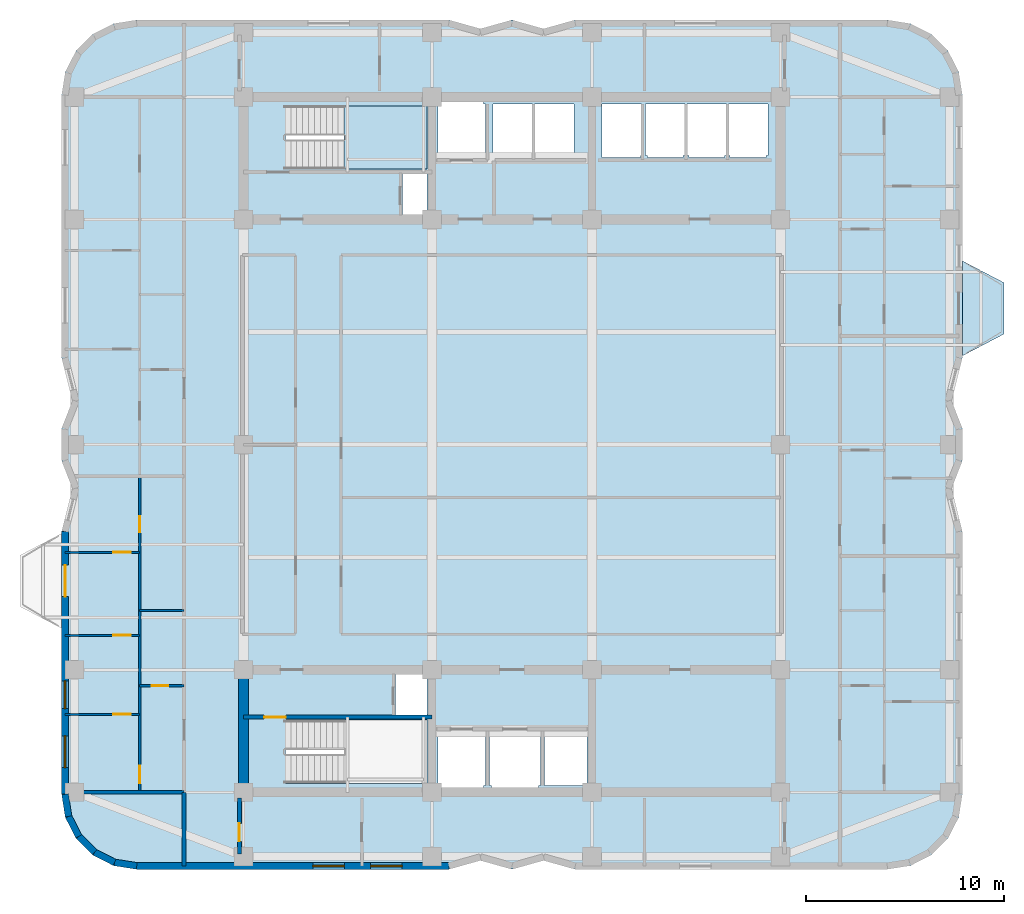
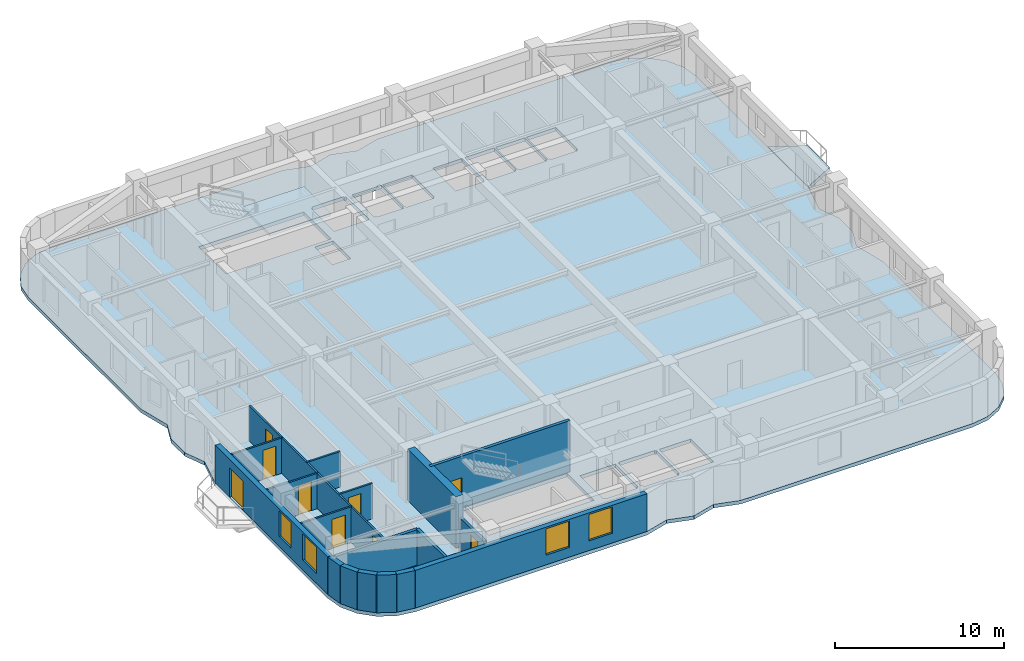
# One storey, part 2 of 8: 18 walls, 9 doors, 4 windows, 3 slabs, 13 openings, 1 element without a shape of its own.
"""IFC4 building model written with IfcOpenShell, lengths in metres."""

from ifc_helpers import new_model, si_unit, direction, frame, frame_2d, origin, place, context, subcontext, project, spatial, polyline, rectangle, outline, extrude, material, layer, layer_set, type_object, element, fill, aggregate, save


model = new_model("IFC4")

# Units and contexts
model_context = context("Model", 3, precision=1e-05, world=origin(), true_north=direction((0.0, 1.0)))
body_context = subcontext(model_context, "Body", "Model", "MODEL_VIEW")
ifc_project = project(units=[si_unit("LENGTHUNIT", "METRE"), si_unit("AREAUNIT", "SQUARE_METRE"), si_unit("VOLUMEUNIT", "CUBIC_METRE"), si_unit("PLANEANGLEUNIT", "RADIAN"), si_unit("MASSUNIT", "GRAM", prefix="KILO")], contexts=[model_context])

# Site, building, storey
site_placement = place(None, origin())
site = spatial("IfcSite", under=ifc_project, at=site_placement, CompositionType="ELEMENT")
building_placement = place(site_placement, origin())
building = spatial("IfcBuilding", under=site, at=building_placement, Name="Svetorya Sky Lyceum", CompositionType="ELEMENT")
storey_placement = place(building_placement, frame((0.0, 0.0, 147.800048828125)))
storey = spatial("IfcBuildingStorey", under=building, at=storey_placement, Name="L36", CompositionType="ELEMENT", Elevation=147.800048828125)

# Slab
ifc_material_1 = material(Name="Concrete C40/50", Category="concrete")
ifc_layer_1 = layer(ifc_material_1, 0.260009765625)
ifc_layer_set_1 = layer_set([ifc_layer_1], Name="Concrete C40/50")
slab_type_1 = type_object("IfcSlabType", Name="SL-BAL-260", PredefinedType="FLOOR", material=ifc_layer_set_1)
slab_1_placement = place(storey_placement, frame((0.0, 0.0, -0.260009765625)))
element("IfcSlab", 1, at=slab_1_placement, inside=storey, type_object=slab_type_1, Name="L36 Chamfered Loggia Balcony BAL-E1", PredefinedType="FLOOR", context=body_context, shape_type="SweptSolid", body=[
    extrude(outline(polyline([(62.010009765625, 32.699951171875), (64.110107421875, 33.800048828125), (64.110107421875, 36.39990234375), (62.010009765625, 37.5), (62.010009765625, 32.699951171875)])), origin(), (0.0, 0.0, 1.0), 0.260009765625),
])

# Stair, slab
stair_type = type_object("IfcStairType", Name="STR-ST-N", PredefinedType="HALF_TURN_STAIR", material=ifc_material_1)
stair_placement = place(storey_placement, origin())
stair = element("IfcStair", 2, at=stair_placement, inside=storey, type_object=stair_type, Name="L36 North Core Smoke-Free Exit Stair N3", PredefinedType="HALF_TURN_STAIR")
ifc_layer_2 = layer(ifc_material_1, 0.199951171875)
ifc_layer_set_2 = layer_set([ifc_layer_2], Name="Concrete C40/50")
slab_type_2 = type_object("IfcSlabType", Name="SL-STR-LAND-200", PredefinedType="LANDING", material=ifc_layer_set_2)
slab_2_placement = place(storey_placement, frame((0.0, 0.0, 1.64990234375)))
slab_2 = element("IfcSlab", 3, at=slab_2_placement, type_object=slab_type_2, Name="ST-N landing 1", PredefinedType="LANDING", context=body_context, shape_type="SweptSolid", body=[
    extrude(outline(polyline([(30.699951171875, 42.14990234375), (34.89990234375, 42.14990234375), (34.89990234375, 45.35009765625), (30.699951171875, 45.35009765625), (30.699951171875, 42.14990234375)])), origin(), (0.0, 0.0, 1.0), 0.199951171875),
])
aggregate(stair, [slab_2])

# Slab
ifc_material_2 = material(Name="Concrete C50/60", Category="concrete")
ifc_layer_3 = layer(ifc_material_2, 0.260009765625)
ifc_layer_set_3 = layer_set([ifc_layer_3], Name="Concrete C50/60")
slab_type_3 = type_object("IfcSlabType", Name="SL-TWR-260", PredefinedType="FLOOR", material=ifc_layer_set_3)
slab_3_placement = place(storey_placement, frame((0.0, 0.0, -0.260009765625)))
element("IfcSlab", 4, at=slab_3_placement, inside=storey, type_object=slab_type_3, Name="L36 Structural Floor Slab", PredefinedType="FLOOR", context=body_context, shape_type="SweptSolid", body=[
    extrude(outline(polyline([(16.39990234375, 10.5), (16.5859375, 9.32568359375), (17.125732421875, 8.266357421875), (17.96630859375, 7.42578125), (19.025634765625, 6.885986328125), (20.199951171875, 6.699951171875), (36.0, 6.699951171875), (37.60009765625, 7.14990234375), (39.199951171875, 6.699951171875), (40.800048828125, 7.14990234375), (42.39990234375, 6.699951171875), (58.199951171875, 6.699951171875), (59.374267578125, 6.885986328125), (60.43359375, 7.42578125), (61.2744140625, 8.266357421875), (61.81396484375, 9.32568359375), (62.0, 10.5), (62.0, 23.800048828125), (61.449951171875, 26.0), (62.0, 27.39990234375), (62.0, 29.0), (61.449951171875, 30.39990234375), (62.0, 32.60009765625), (62.0, 45.89990234375), (61.81396484375, 47.07421875), (61.2744140625, 48.133544921875), (60.43359375, 48.974365234375), (59.374267578125, 49.513916015625), (58.199951171875, 49.699951171875), (42.39990234375, 49.699951171875), (40.800048828125, 49.25), (39.199951171875, 49.699951171875), (37.60009765625, 49.25), (36.0, 49.699951171875), (20.199951171875, 49.699951171875), (19.025634765625, 49.513916015625), (17.96630859375, 48.974365234375), (17.125732421875, 48.133544921875), (16.5859375, 47.07421875), (16.39990234375, 45.89990234375), (16.39990234375, 32.60009765625), (16.949951171875, 30.39990234375), (16.39990234375, 29.0), (16.39990234375, 27.39990234375), (16.949951171875, 26.0), (16.39990234375, 23.800048828125), (16.39990234375, 10.5)]), holes=[polyline([(37.85009765625, 10.949951171875), (37.75, 10.949951171875), (37.75, 10.85009765625), (35.550048828125, 10.85009765625), (35.550048828125, 10.949951171875), (35.449951171875, 10.949951171875), (35.449951171875, 13.64990234375), (35.550048828125, 13.64990234375), (37.75, 13.64990234375), (37.85009765625, 13.64990234375), (37.85009765625, 10.949951171875)]), polyline([(40.64990234375, 13.64990234375), (40.64990234375, 10.949951171875), (40.550048828125, 10.949951171875), (40.550048828125, 10.800048828125), (38.14990234375, 10.800048828125), (38.14990234375, 10.949951171875), (38.050048828125, 10.949951171875), (38.050048828125, 13.64990234375), (38.14990234375, 13.64990234375), (38.14990234375, 13.699951171875), (40.550048828125, 13.699951171875), (40.550048828125, 13.64990234375), (40.64990234375, 13.64990234375)]), polyline([(27.719970703125, 14.25), (34.89990234375, 14.25), (34.89990234375, 11.050048828125), (27.719970703125, 11.050048828125), (27.719970703125, 14.25)]), polyline([(33.300048828125, 14.52001953125), (33.300048828125, 16.580078125), (34.89990234375, 16.580078125), (34.89990234375, 14.52001953125), (33.300048828125, 14.52001953125)]), polyline([(33.64990234375, 41.89990234375), (34.89990234375, 41.89990234375), (34.89990234375, 39.820068359375), (33.64990234375, 39.820068359375), (33.64990234375, 41.89990234375)]), polyline([(27.719970703125, 45.35009765625), (34.89990234375, 45.35009765625), (34.89990234375, 42.14990234375), (27.719970703125, 42.14990234375), (27.719970703125, 45.35009765625)]), polyline([(37.75, 45.550048828125), (37.75, 45.449951171875), (37.85009765625, 45.449951171875), (37.85009765625, 42.75), (37.75, 42.75), (35.550048828125, 42.75), (35.449951171875, 42.75), (35.449951171875, 45.449951171875), (35.550048828125, 45.449951171875), (35.550048828125, 45.550048828125), (37.75, 45.550048828125)]), polyline([(38.39990234375, 42.85009765625), (38.25, 42.85009765625), (38.25, 45.449951171875), (38.39990234375, 45.449951171875), (40.199951171875, 45.449951171875), (40.25, 45.449951171875), (40.25, 42.85009765625), (40.199951171875, 42.85009765625), (40.199951171875, 42.75), (38.39990234375, 42.75), (38.39990234375, 42.85009765625)]), polyline([(40.85009765625, 13.64990234375), (43.0, 13.64990234375), (43.0, 10.949951171875), (40.85009765625, 10.949951171875), (40.85009765625, 13.64990234375)]), polyline([(40.39990234375, 42.85009765625), (40.35009765625, 42.85009765625), (40.35009765625, 45.449951171875), (40.39990234375, 45.449951171875), (42.300048828125, 45.449951171875), (42.35009765625, 45.449951171875), (42.35009765625, 42.85009765625), (42.300048828125, 42.85009765625), (42.300048828125, 42.75), (40.39990234375, 42.75), (40.39990234375, 42.85009765625)]), polyline([(43.75, 42.75), (43.75, 42.85009765625), (43.75, 45.449951171875), (45.699951171875, 45.449951171875), (45.75, 45.449951171875), (45.75, 42.85009765625), (45.699951171875, 42.85009765625), (45.699951171875, 42.75), (43.75, 42.75)]), polyline([(46.050048828125, 42.85009765625), (45.949951171875, 42.85009765625), (45.949951171875, 45.449951171875), (46.050048828125, 45.449951171875), (47.85009765625, 45.449951171875), (47.949951171875, 45.449951171875), (47.949951171875, 42.85009765625), (47.85009765625, 42.85009765625), (47.85009765625, 42.75), (46.050048828125, 42.75), (46.050048828125, 42.85009765625)]), polyline([(48.14990234375, 42.85009765625), (48.050048828125, 42.85009765625), (48.050048828125, 45.449951171875), (48.14990234375, 45.449951171875), (49.949951171875, 45.449951171875), (50.050048828125, 45.449951171875), (50.050048828125, 42.85009765625), (49.949951171875, 42.85009765625), (49.949951171875, 42.75), (48.14990234375, 42.75), (48.14990234375, 42.85009765625)]), polyline([(52.14990234375, 42.85009765625), (52.050048828125, 42.85009765625), (52.050048828125, 42.75), (50.25, 42.75), (50.25, 42.85009765625), (50.14990234375, 42.85009765625), (50.14990234375, 45.449951171875), (50.25, 45.449951171875), (52.050048828125, 45.449951171875), (52.14990234375, 45.449951171875), (52.14990234375, 42.85009765625)])]), origin(), (0.0, 0.0, 1.0), 0.260009765625),
])

# Walls
ifc_layer_4 = layer(ifc_material_2, 0.5)
ifc_layer_set_4 = layer_set([ifc_layer_4], Name="Concrete C50/60")
wall_type_1 = type_object("IfcWallType", Name="WL-CORE-500", PredefinedType="SHEAR", material=ifc_layer_set_4)
wall_1_placement = place(storey_placement, frame((25.60009765625, 10.85009765625, 0.0), z_axis=(0.0, 0.0, 1.0), x_axis=(0.0, 1.0, 0.0)))
element("IfcWall", 5, at=wall_1_placement, inside=storey, type_object=wall_type_1, Name="L36 SC West Core Shear Wall", PredefinedType="SHEAR", context=body_context, shape_type="SweptSolid", body=[
    extrude(rectangle(XDim=5.699951171875, YDim=0.5, at=frame_2d((2.85009765625, 0.0))), origin(), (0.0, 0.0, 1.0), 3.699951171875),
])
ifc_material_3 = material(Name="Putilovo limestone rainscreen on autoclaved cellular masonry", Category="masonry")
ifc_layer_5 = layer(ifc_material_3, 0.340087890625)
ifc_layer_set_5 = layer_set([ifc_layer_5], Name="Putilovo limestone rainscreen on autoclaved cellular masonry")
wall_type_2 = type_object("IfcWallType", Name="WL-EXT-340", PredefinedType="SOLIDWALL", material=ifc_layer_set_5)
wall_2_placement = place(storey_placement, frame((16.570068359375, 10.5, 0.0), z_axis=(0.0, 0.0, 1.0), x_axis=(0.156514556949, -0.987675651954, 0.0)))
element("IfcWall", 6, at=wall_2_placement, inside=storey, type_object=wall_type_2, Name="L36 Limestone Exterior Wall 1M", PredefinedType="SOLIDWALL", context=body_context, shape_type="SweptSolid", body=[
    extrude(rectangle(XDim=1.135498046875, YDim=0.340087890625, at=frame_2d((0.56787109375, 0.0))), origin(), (0.0, 0.0, 1.0), 2.719970703125),
])
for number, where, z_axis, x_axis, name in (
    (7, (16.747802734375, 9.37841796875, 0.0), (0.0, 0.0, 1.0), (0.45373580117, -0.891136253744, 0.0), "L36 Limestone Exterior Wall 2M"),
    (8, (17.26318359375, 8.3662109375, 0.0), (0.0, 0.0, 1.0), (0.707214252388, -0.706999293649, 0.0), "L36 Limestone Exterior Wall 3M"),
    (9, (18.06640625, 7.563232421875, 0.0), (0.0, 0.0, 1.0), (0.891005044957, -0.453993402883, 0.0), "L36 Limestone Exterior Wall 4M"),
):
    element("IfcWall", number, at=place(storey_placement, frame(where, z_axis=z_axis, x_axis=x_axis)), inside=storey, type_object=wall_type_2, Name=name, PredefinedType="SOLIDWALL", context=body_context, shape_type="SweptSolid", body=[
        extrude(rectangle(XDim=1.1357421875, YDim=0.340087890625, at=frame_2d((0.56787109375, 0.0))), origin(), (0.0, 0.0, 1.0), 2.719970703125),
    ])
wall_3_placement = place(storey_placement, frame((19.078369140625, 7.047607421875, 0.0), z_axis=(0.0, 0.0, 1.0), x_axis=(0.987708865555, -0.156304820474, 0.0)))
element("IfcWall", 10, at=wall_3_placement, inside=storey, type_object=wall_type_2, Name="L36 Limestone Exterior Wall 5M", PredefinedType="SOLIDWALL", context=body_context, shape_type="SweptSolid", body=[
    extrude(rectangle(XDim=1.135498046875, YDim=0.340087890625, at=frame_2d((0.56787109375, 0.0))), origin(), (0.0, 0.0, 1.0), 2.719970703125),
])

# Wall, openings, windows
wall_4_placement = place(storey_placement, frame((20.199951171875, 6.8701171875, 0.0), z_axis=(0.0, 0.0, 1.0), x_axis=(1.0, 0.0, 0.0)))
wall_4 = element("IfcWall", 11, at=wall_4_placement, inside=storey, type_object=wall_type_2, Name="L36 Limestone Exterior Wall 6M", PredefinedType="SOLIDWALL", context=body_context, shape_type="SweptSolid", body=[
    extrude(rectangle(XDim=15.800048828125, YDim=0.340087890625, at=frame_2d((7.89990234375, 0.0))), origin(), (0.0, 0.0, 1.0), 2.719970703125),
])
opening_1_placement = place(wall_4_placement, frame((8.91259765625, 0.0, 0.699951171875)))
opening_1 = element("IfcOpeningElement", 12, at=opening_1_placement, cuts=wall_4, Name="Opening W-R4", PredefinedType="OPENING", context=body_context, shape_type="SweptSolid", body=[
    extrude(rectangle(XDim=1.60009765625, YDim=1.89990234375, at=frame_2d((0.800048828125, 0.949951171875))), frame((0.0, 0.179931640625, 0.0), z_axis=(0.0, -1.0, 0.0), x_axis=(1.0, 0.0, 0.0)), (0.0, 0.0, 1.0), 0.360107421875),
])
opening_2_placement = place(wall_4_placement, frame((11.83740234375, 0.0, 0.699951171875)))
opening_2 = element("IfcOpeningElement", 13, at=opening_2_placement, cuts=wall_4, Name="Opening W-R4", PredefinedType="OPENING", context=body_context, shape_type="SweptSolid", body=[
    extrude(rectangle(XDim=1.60009765625, YDim=1.89990234375, at=frame_2d((0.800048828125, 0.949951171875))), frame((0.0, 0.179931640625, 0.0), z_axis=(0.0, -1.0, 0.0), x_axis=(1.0, 0.0, 0.0)), (0.0, 0.0, 1.0), 0.360107421875),
])
ifc_material_4 = material(Name="Thermally broken aluminium frame with triple low-E glazing", Category="aluminium")
window_type_1 = type_object("IfcWindowType", Name="WN-RES-160", PartitioningType="DOUBLE_PANEL_VERTICAL", PredefinedType="WINDOW", material=ifc_material_4)
window_1_placement = place(opening_1_placement, origin())
window_1 = element("IfcWindow", 14, at=window_1_placement, inside=storey, type_object=window_type_1, Name="L36 Facade Window W-R4.6M.1", OverallHeight=1.89990234375, OverallWidth=1.60009765625, PartitioningType="SINGLE_PANEL", PredefinedType="WINDOW", context=body_context, shape_type="SweptSolid", body=[
    extrude(rectangle(XDim=1.60009765625, YDim=1.89990234375, at=frame_2d((0.800048828125, 0.949951171875))), frame((0.0, 0.030029296875, 0.0), z_axis=(0.0, -1.0, 0.0), x_axis=(1.0, 0.0, 0.0)), (0.0, 0.0, 1.0), 0.06005859375),
])
fill(opening_1, window_1)
window_2_placement = place(opening_2_placement, origin())
window_2 = element("IfcWindow", 15, at=window_2_placement, inside=storey, type_object=window_type_1, Name="L36 Facade Window W-R4.6M.2", OverallHeight=1.89990234375, OverallWidth=1.60009765625, PartitioningType="SINGLE_PANEL", PredefinedType="WINDOW", context=body_context, shape_type="SweptSolid", body=[
    extrude(rectangle(XDim=1.60009765625, YDim=1.89990234375, at=frame_2d((0.800048828125, 0.949951171875))), frame((0.0, 0.030029296875, 0.0), z_axis=(0.0, -1.0, 0.0), x_axis=(1.0, 0.0, 0.0)), (0.0, 0.0, 1.0), 0.06005859375),
])
fill(opening_2, window_2)

# Wall, openings, door, windows
wall_5_placement = place(storey_placement, frame((16.570068359375, 23.800048828125, 0.0), z_axis=(0.0, 0.0, 1.0), x_axis=(0.0, -1.0, 0.0)))
wall_5 = element("IfcWall", 16, at=wall_5_placement, inside=storey, type_object=wall_type_2, Name="L36 Limestone Exterior Wall 46M", PredefinedType="SOLIDWALL", context=body_context, shape_type="SweptSolid", body=[
    extrude(rectangle(XDim=13.300048828125, YDim=0.340087890625, at=frame_2d((6.64990234375, 0.0))), origin(), (0.0, 0.0, 1.0), 2.719970703125),
])
opening_3_placement = place(wall_5_placement, frame((1.699951171875, 0.0, 0.0)))
opening_3 = element("IfcOpeningElement", 17, at=opening_3_placement, cuts=wall_5, Name="Opening D-BL1", PredefinedType="OPENING", context=body_context, shape_type="SweptSolid", body=[
    extrude(rectangle(XDim=1.60009765625, YDim=2.10009765625, at=frame_2d((0.800048828125, 1.050048828125))), frame((0.0, 0.179931640625, 0.0), z_axis=(0.0, -1.0, 0.0), x_axis=(1.0, 0.0, 0.0)), (0.0, 0.0, 1.0), 0.360107421875),
])
opening_4_placement = place(wall_5_placement, frame((7.56005859375, 0.0, 0.7099609375)))
opening_4 = element("IfcOpeningElement", 18, at=opening_4_placement, cuts=wall_5, Name="Opening W-R2", PredefinedType="OPENING", context=body_context, shape_type="SweptSolid", body=[
    extrude(rectangle(XDim=1.39990234375, YDim=1.85009765625, at=frame_2d((0.699951171875, 0.925048828125))), frame((0.0, 0.179931640625, 0.0), z_axis=(0.0, -1.0, 0.0), x_axis=(1.0, 0.0, 0.0)), (0.0, 0.0, 1.0), 0.360107421875),
])
opening_5_placement = place(wall_5_placement, frame((10.35009765625, 0.0, 0.699951171875)))
opening_5 = element("IfcOpeningElement", 19, at=opening_5_placement, cuts=wall_5, Name="Opening W-R4", PredefinedType="OPENING", context=body_context, shape_type="SweptSolid", body=[
    extrude(rectangle(XDim=1.60009765625, YDim=1.89990234375, at=frame_2d((0.800048828125, 0.949951171875))), frame((0.0, 0.179931640625, 0.0), z_axis=(0.0, -1.0, 0.0), x_axis=(1.0, 0.0, 0.0)), (0.0, 0.0, 1.0), 0.360107421875),
])
ifc_material_5 = material(Name="Insulated glazed aluminium balcony door", Category="aluminium")
door_type_1 = type_object("IfcDoorType", Name="DR-BAL-1600", OperationType="DOUBLE_DOOR_SINGLE_SWING", PredefinedType="DOOR", material=ifc_material_5)
door_1_placement = place(opening_3_placement, origin())
door_1 = element("IfcDoor", 20, at=door_1_placement, inside=storey, type_object=door_type_1, Name="L36 Balcony BAL-W1 Door", OperationType="DOUBLE_DOOR_SINGLE_SWING", OverallHeight=2.10009765625, OverallWidth=1.60009765625, PredefinedType="DOOR", context=body_context, shape_type="SweptSolid", body=[
    extrude(rectangle(XDim=1.60009765625, YDim=2.10009765625, at=frame_2d((0.800048828125, 1.050048828125))), frame((0.0, 0.02490234375, 0.0), z_axis=(0.0, -1.0, 0.0), x_axis=(1.0, 0.0, 0.0)), (0.0, 0.0, 1.0), 0.050048828125),
])
fill(opening_3, door_1)
window_type_2 = type_object("IfcWindowType", Name="WN-RES-140", PartitioningType="SINGLE_PANEL", PredefinedType="WINDOW", material=ifc_material_4)
window_3_placement = place(opening_4_placement, origin())
window_3 = element("IfcWindow", 21, at=window_3_placement, inside=storey, type_object=window_type_2, Name="L36 Facade Window W-R2.46M.2", OverallHeight=1.85009765625, OverallWidth=1.39990234375, PartitioningType="SINGLE_PANEL", PredefinedType="WINDOW", context=body_context, shape_type="SweptSolid", body=[
    extrude(rectangle(XDim=1.39990234375, YDim=1.85009765625, at=frame_2d((0.699951171875, 0.925048828125))), frame((0.0, 0.030029296875, 0.0), z_axis=(0.0, -1.0, 0.0), x_axis=(1.0, 0.0, 0.0)), (0.0, 0.0, 1.0), 0.06005859375),
])
fill(opening_4, window_3)
window_4_placement = place(opening_5_placement, origin())
window_4 = element("IfcWindow", 22, at=window_4_placement, inside=storey, type_object=window_type_1, Name="L36 Facade Window W-R4.46M.1", OverallHeight=1.89990234375, OverallWidth=1.60009765625, PartitioningType="SINGLE_PANEL", PredefinedType="WINDOW", context=body_context, shape_type="SweptSolid", body=[
    extrude(rectangle(XDim=1.60009765625, YDim=1.89990234375, at=frame_2d((0.800048828125, 0.949951171875))), frame((0.0, 0.030029296875, 0.0), z_axis=(0.0, -1.0, 0.0), x_axis=(1.0, 0.0, 0.0)), (0.0, 0.0, 1.0), 0.06005859375),
])
fill(opening_5, window_4)

# Wall, opening, door
ifc_material_6 = material(Name="Twin-stud galvanized framing with double fireboard", Category="gypsum")
ifc_layer_6 = layer(ifc_material_6, 0.1201171875)
ifc_layer_set_6 = layer_set([ifc_layer_6], Name="Twin-stud galvanized framing with double fireboard")
wall_type_3 = type_object("IfcWallType", Name="WL-PART-120", PredefinedType="PARTITIONING", material=ifc_layer_set_6)
wall_6_placement = place(storey_placement, frame((20.35009765625, 16.0, 0.0), z_axis=(0.0, 0.0, 1.0), x_axis=(1.0, 0.0, 0.0)))
wall_6 = element("IfcWall", 23, at=wall_6_placement, inside=storey, type_object=wall_type_3, Name="L36 Interior Partition W1-WH1", PredefinedType="PARTITIONING", context=body_context, shape_type="SweptSolid", body=[
    extrude(rectangle(XDim=2.25, YDim=0.1201171875, at=frame_2d((1.125, 0.0))), origin(), (0.0, 0.0, 1.0), 2.550048828125),
])
opening_6_placement = place(wall_6_placement, frame((0.60009765625, 0.0, 0.0)))
opening_6 = element("IfcOpeningElement", 24, at=opening_6_placement, cuts=wall_6, Name="Opening D-BT1", PredefinedType="OPENING", context=body_context, shape_type="SweptSolid", body=[
    extrude(rectangle(XDim=0.85009765625, YDim=2.10009765625, at=frame_2d((0.425048828125, 1.050048828125))), frame((0.0, 0.070068359375, 0.0), z_axis=(0.0, -1.0, 0.0), x_axis=(1.0, 0.0, 0.0)), (0.0, 0.0, 1.0), 0.14013671875),
])
ifc_material_7 = material(Name="Moisture-resistant laminate bathroom door")
door_type_2 = type_object("IfcDoorType", Name="DR-WET-850", OperationType="SINGLE_SWING_LEFT", PredefinedType="DOOR", material=ifc_material_7)
door_2_placement = place(opening_6_placement, origin())
door_2 = element("IfcDoor", 25, at=door_2_placement, inside=storey, type_object=door_type_2, Name="Apartment W1 Bathroom Door", OperationType="SINGLE_SWING_LEFT", OverallHeight=2.10009765625, OverallWidth=0.85009765625, PredefinedType="DOOR", context=body_context, shape_type="SweptSolid", body=[
    extrude(rectangle(XDim=0.85009765625, YDim=2.10009765625, at=frame_2d((0.425048828125, 1.050048828125))), frame((0.0, 0.02490234375, 0.0), z_axis=(0.0, -1.0, 0.0), x_axis=(1.0, 0.0, 0.0)), (0.0, 0.0, 1.0), 0.050048828125),
])
fill(opening_6, door_2)

# Wall
wall_7_placement = place(storey_placement, frame((20.35009765625, 19.800048828125, 0.0), z_axis=(0.0, 0.0, 1.0), x_axis=(1.0, 0.0, 0.0)))
element("IfcWall", 26, at=wall_7_placement, inside=storey, type_object=wall_type_3, Name="L36 Interior Partition W1-WH2", PredefinedType="PARTITIONING", context=body_context, shape_type="SweptSolid", body=[
    extrude(rectangle(XDim=2.25, YDim=0.1201171875, at=frame_2d((1.125, 0.0))), origin(), (0.0, 0.0, 1.0), 2.550048828125),
])

# Wall, opening, door
wall_8_placement = place(storey_placement, frame((16.570068359375, 14.5400390625, 0.0), z_axis=(0.0, 0.0, 1.0), x_axis=(1.0, 0.0, 0.0)))
wall_8 = element("IfcWall", 27, at=wall_8_placement, inside=storey, type_object=wall_type_3, Name="L36 Interior Partition W1-WL1", PredefinedType="PARTITIONING", context=body_context, shape_type="SweptSolid", body=[
    extrude(rectangle(XDim=3.780029296875, YDim=0.1201171875, at=frame_2d((1.89013671875, 0.0))), origin(), (0.0, 0.0, 1.0), 2.550048828125),
])
opening_7_placement = place(wall_8_placement, frame((2.429931640625, 0.0, 0.0)))
opening_7 = element("IfcOpeningElement", 28, at=opening_7_placement, cuts=wall_8, Name="Opening D-RM1", PredefinedType="OPENING", context=body_context, shape_type="SweptSolid", body=[
    extrude(rectangle(XDim=0.89990234375, YDim=2.10009765625, at=frame_2d((0.449951171875, 1.050048828125))), frame((0.0, 0.070068359375, 0.0), z_axis=(0.0, -1.0, 0.0), x_axis=(1.0, 0.0, 0.0)), (0.0, 0.0, 1.0), 0.14013671875),
])
ifc_material_8 = material(Name="Lacquered birch veneer internal door")
door_type_3 = type_object("IfcDoorType", Name="DR-INT-900", OperationType="SINGLE_SWING_LEFT", PredefinedType="DOOR", material=ifc_material_8)
door_3_placement = place(opening_7_placement, origin())
door_3 = element("IfcDoor", 29, at=door_3_placement, inside=storey, type_object=door_type_3, Name="Apartment W1 Master Bedroom Door", OperationType="SINGLE_SWING_LEFT", OverallHeight=2.10009765625, OverallWidth=0.89990234375, PredefinedType="DOOR", context=body_context, shape_type="SweptSolid", body=[
    extrude(rectangle(XDim=0.89990234375, YDim=2.10009765625, at=frame_2d((0.449951171875, 1.050048828125))), frame((0.0, 0.02490234375, 0.0), z_axis=(0.0, -1.0, 0.0), x_axis=(1.0, 0.0, 0.0)), (0.0, 0.0, 1.0), 0.050048828125),
])
fill(opening_7, door_3)

wall_9_placement = place(storey_placement, frame((16.570068359375, 18.5400390625, 0.0), z_axis=(0.0, 0.0, 1.0), x_axis=(1.0, 0.0, 0.0)))
wall_9 = element("IfcWall", 30, at=wall_9_placement, inside=storey, type_object=wall_type_3, Name="L36 Interior Partition W1-WL2", PredefinedType="PARTITIONING", context=body_context, shape_type="SweptSolid", body=[
    extrude(rectangle(XDim=3.780029296875, YDim=0.1201171875, at=frame_2d((1.89013671875, 0.0))), origin(), (0.0, 0.0, 1.0), 2.550048828125),
])
opening_8_placement = place(wall_9_placement, frame((2.429931640625, 0.0, 0.0)))
opening_8 = element("IfcOpeningElement", 31, at=opening_8_placement, cuts=wall_9, Name="Opening D-RM1", PredefinedType="OPENING", context=body_context, shape_type="SweptSolid", body=[
    extrude(rectangle(XDim=0.89990234375, YDim=2.10009765625, at=frame_2d((0.449951171875, 1.050048828125))), frame((0.0, 0.070068359375, 0.0), z_axis=(0.0, -1.0, 0.0), x_axis=(1.0, 0.0, 0.0)), (0.0, 0.0, 1.0), 0.14013671875),
])
door_4_placement = place(opening_8_placement, origin())
door_4 = element("IfcDoor", 32, at=door_4_placement, inside=storey, type_object=door_type_3, Name="Apartment W1 Bedroom 2 Door", OperationType="SINGLE_SWING_RIGHT", OverallHeight=2.10009765625, OverallWidth=0.89990234375, PredefinedType="DOOR", context=body_context, shape_type="SweptSolid", body=[
    extrude(rectangle(XDim=0.89990234375, YDim=2.10009765625, at=frame_2d((0.449951171875, 1.050048828125))), frame((0.0, 0.02490234375, 0.0), z_axis=(0.0, -1.0, 0.0), x_axis=(1.0, 0.0, 0.0)), (0.0, 0.0, 1.0), 0.050048828125),
])
fill(opening_8, door_4)

wall_10_placement = place(storey_placement, frame((16.570068359375, 22.739990234375, 0.0), z_axis=(0.0, 0.0, 1.0), x_axis=(1.0, 0.0, 0.0)))
wall_10 = element("IfcWall", 33, at=wall_10_placement, inside=storey, type_object=wall_type_3, Name="L36 Interior Partition W1-WL3", PredefinedType="PARTITIONING", context=body_context, shape_type="SweptSolid", body=[
    extrude(rectangle(XDim=3.780029296875, YDim=0.1201171875, at=frame_2d((1.89013671875, 0.0))), origin(), (0.0, 0.0, 1.0), 2.550048828125),
])
opening_9_placement = place(wall_10_placement, frame((2.429931640625, 0.0, 0.0)))
opening_9 = element("IfcOpeningElement", 34, at=opening_9_placement, cuts=wall_10, Name="Opening D-RM1", PredefinedType="OPENING", context=body_context, shape_type="SweptSolid", body=[
    extrude(rectangle(XDim=0.89990234375, YDim=2.10009765625, at=frame_2d((0.449951171875, 1.050048828125))), frame((0.0, 0.070068359375, 0.0), z_axis=(0.0, -1.0, 0.0), x_axis=(1.0, 0.0, 0.0)), (0.0, 0.0, 1.0), 0.14013671875),
])
door_5_placement = place(opening_9_placement, origin())
door_5 = element("IfcDoor", 35, at=door_5_placement, inside=storey, type_object=door_type_3, Name="Apartment W1 Bedroom 3 Door", OperationType="SINGLE_SWING_LEFT", OverallHeight=2.10009765625, OverallWidth=0.89990234375, PredefinedType="DOOR", context=body_context, shape_type="SweptSolid", body=[
    extrude(rectangle(XDim=0.89990234375, YDim=2.10009765625, at=frame_2d((0.449951171875, 1.050048828125))), frame((0.0, 0.02490234375, 0.0), z_axis=(0.0, -1.0, 0.0), x_axis=(1.0, 0.0, 0.0)), (0.0, 0.0, 1.0), 0.050048828125),
])
fill(opening_9, door_5)

# Wall, openings, doors
wall_11_placement = place(storey_placement, frame((20.35009765625, 10.639892578125, 0.0), z_axis=(0.0, 0.0, 1.0), x_axis=(0.0, 1.0, 0.0)))
wall_11 = element("IfcWall", 36, at=wall_11_placement, inside=storey, type_object=wall_type_3, Name="L36 Interior Partition W1-WV", PredefinedType="PARTITIONING", context=body_context, shape_type="SweptSolid", body=[
    extrude(rectangle(XDim=15.920166015625, YDim=0.1201171875, at=frame_2d((7.9599609375, 0.0))), origin(), (0.0, 0.0, 1.0), 2.550048828125),
])
opening_10_placement = place(wall_11_placement, frame((0.409912109375, 0.0, 0.0)))
opening_10 = element("IfcOpeningElement", 37, at=opening_10_placement, cuts=wall_11, Name="Opening D-RM1", PredefinedType="OPENING", context=body_context, shape_type="SweptSolid", body=[
    extrude(rectangle(XDim=0.89990234375, YDim=2.10009765625, at=frame_2d((0.449951171875, 1.050048828125))), frame((0.0, 0.070068359375, 0.0), z_axis=(0.0, -1.0, 0.0), x_axis=(1.0, 0.0, 0.0)), (0.0, 0.0, 1.0), 0.14013671875),
])
opening_11_placement = place(wall_11_placement, frame((13.125, 0.0, 0.0)))
opening_11 = element("IfcOpeningElement", 38, at=opening_11_placement, cuts=wall_11, Name="Opening D-BT2", PredefinedType="OPENING", context=body_context, shape_type="SweptSolid", body=[
    extrude(rectangle(XDim=0.820068359375, YDim=2.080078125, at=frame_2d((0.41015625, 1.0400390625))), frame((0.0, 0.070068359375, 0.0), z_axis=(0.0, -1.0, 0.0), x_axis=(1.0, 0.0, 0.0)), (0.0, 0.0, 1.0), 0.14013671875),
])
door_6_placement = place(opening_10_placement, origin())
door_6 = element("IfcDoor", 39, at=door_6_placement, inside=storey, type_object=door_type_3, Name="Apartment W1 Living Door", OperationType="SINGLE_SWING_RIGHT", OverallHeight=2.10009765625, OverallWidth=0.89990234375, PredefinedType="DOOR", context=body_context, shape_type="SweptSolid", body=[
    extrude(rectangle(XDim=0.89990234375, YDim=2.10009765625, at=frame_2d((0.449951171875, 1.050048828125))), frame((0.0, 0.02490234375, 0.0), z_axis=(0.0, -1.0, 0.0), x_axis=(1.0, 0.0, 0.0)), (0.0, 0.0, 1.0), 0.050048828125),
])
fill(opening_10, door_6)
ifc_material_9 = material(Name="Compact moisture-resistant laminate closet door")
door_type_4 = type_object("IfcDoorType", Name="DR-WET-820", OperationType="SINGLE_SWING_LEFT", PredefinedType="DOOR", material=ifc_material_9)
door_7_placement = place(opening_11_placement, origin())
door_7 = element("IfcDoor", 40, at=door_7_placement, inside=storey, type_object=door_type_4, Name="Apartment W1 Study Door", OperationType="SINGLE_SWING_LEFT", OverallHeight=2.080078125, OverallWidth=0.820068359375, PredefinedType="DOOR", context=body_context, shape_type="SweptSolid", body=[
    extrude(rectangle(XDim=0.820068359375, YDim=2.080078125, at=frame_2d((0.41015625, 1.0400390625))), frame((0.0, 0.02490234375, 0.0), z_axis=(0.0, -1.0, 0.0), x_axis=(1.0, 0.0, 0.0)), (0.0, 0.0, 1.0), 0.050048828125),
])
fill(opening_11, door_7)

# Walls
ifc_material_10 = material(Name="Autoclaved cellular masonry blockwork with gypsum plaster", Category="masonry")
ifc_layer_7 = layer(ifc_material_10, 0.199951171875)
ifc_layer_set_7 = layer_set([ifc_layer_7], Name="Autoclaved cellular masonry blockwork with gypsum plaster")
wall_type_4 = type_object("IfcWallType", Name="WL-PART-200", PredefinedType="PARTITIONING", material=ifc_layer_set_7)
wall_12_placement = place(storey_placement, frame((16.989990234375, 10.60009765625, 0.0), z_axis=(0.0, 0.0, 1.0), x_axis=(1.0, 0.0, 0.0)))
element("IfcWall", 41, at=wall_12_placement, inside=storey, type_object=wall_type_4, Name="L36 Interior Partition W-CAP-S", PredefinedType="PARTITIONING", context=body_context, shape_type="SweptSolid", body=[
    extrude(rectangle(XDim=5.610107421875, YDim=0.199951171875, at=frame_2d((2.80517578125, 0.0))), origin(), (0.0, 0.0, 1.0), 2.550048828125),
])
wall_13_placement = place(storey_placement, frame((22.60009765625, 6.8701171875, 0.0), z_axis=(0.0, 0.0, 1.0), x_axis=(0.0, 1.0, 0.0)))
element("IfcWall", 42, at=wall_13_placement, inside=storey, type_object=wall_type_4, Name="L36 Interior Partition WC-SW-END", PredefinedType="PARTITIONING", context=body_context, shape_type="SweptSolid", body=[
    extrude(rectangle(XDim=3.72998046875, YDim=0.199951171875, at=frame_2d((1.864990234375, 0.0))), origin(), (0.0, 0.0, 1.0), 2.550048828125),
])

# Wall, opening, door
wall_14_placement = place(storey_placement, frame((25.39990234375, 7.469970703125, 0.0), z_axis=(0.0, 0.0, 1.0), x_axis=(0.0, 1.0, 0.0)))
wall_14 = element("IfcWall", 43, at=wall_14_placement, inside=storey, type_object=wall_type_4, Name="L36 Interior Partition S-EW", PredefinedType="PARTITIONING", context=body_context, shape_type="SweptSolid", body=[
    extrude(rectangle(XDim=2.830078125, YDim=0.199951171875, at=frame_2d((1.4150390625, 0.0))), origin(), (0.0, 0.0, 1.0), 2.550048828125),
])
opening_12_placement = place(wall_14_placement, frame((0.64990234375, 0.0, 0.0)))
opening_12 = element("IfcOpeningElement", 44, at=opening_12_placement, cuts=wall_14, Name="Opening D-RM1", PredefinedType="OPENING", context=body_context, shape_type="SweptSolid", body=[
    extrude(rectangle(XDim=0.89990234375, YDim=2.10009765625, at=frame_2d((0.449951171875, 1.050048828125))), frame((0.0, 0.10986328125, 0.0), z_axis=(0.0, -1.0, 0.0), x_axis=(1.0, 0.0, 0.0)), (0.0, 0.0, 1.0), 0.219970703125),
])
door_8_placement = place(opening_12_placement, origin())
door_8 = element("IfcDoor", 45, at=door_8_placement, inside=storey, type_object=door_type_3, Name="L36 South Study Door", OperationType="SINGLE_SWING_LEFT", OverallHeight=2.10009765625, OverallWidth=0.89990234375, PredefinedType="DOOR", context=body_context, shape_type="SweptSolid", body=[
    extrude(rectangle(XDim=0.89990234375, YDim=2.10009765625, at=frame_2d((0.449951171875, 1.050048828125))), frame((0.0, 0.02490234375, 0.0), z_axis=(0.0, -1.0, 0.0), x_axis=(1.0, 0.0, 0.0)), (0.0, 0.0, 1.0), 0.050048828125),
])
fill(opening_12, door_8)

ifc_layer_8 = layer(ifc_material_2, 0.199951171875)
ifc_layer_set_8 = layer_set([ifc_layer_8], Name="Concrete C50/60")
wall_type_5 = type_object("IfcWallType", Name="WL-SHW-200", PredefinedType="SHEAR", material=ifc_layer_set_8)
wall_15_placement = place(storey_placement, frame((25.60009765625, 14.39990234375, 0.0), z_axis=(0.0, 0.0, 1.0), x_axis=(1.0, 0.0, 0.0)))
wall_15 = element("IfcWall", 46, at=wall_15_placement, inside=storey, type_object=wall_type_5, Name="L36 Structural Stair Shaft Wall SC-STW", PredefinedType="SHEAR", context=body_context, shape_type="SweptSolid", body=[
    extrude(rectangle(XDim=9.5498046875, YDim=0.199951171875, at=frame_2d((4.77490234375, 0.0))), origin(), (0.0, 0.0, 1.0), 3.699951171875),
])
opening_13_placement = place(wall_15_placement, frame((1.050048828125, 0.0, 0.0)))
opening_13 = element("IfcOpeningElement", 47, at=opening_13_placement, cuts=wall_15, Name="Opening D-ST1", PredefinedType="OPENING", context=body_context, shape_type="SweptSolid", body=[
    extrude(rectangle(XDim=1.10009765625, YDim=2.14990234375, at=frame_2d((0.550048828125, 1.074951171875))), frame((0.0, 0.10986328125, 0.0), z_axis=(0.0, -1.0, 0.0), x_axis=(1.0, 0.0, 0.0)), (0.0, 0.0, 1.0), 0.219970703125),
])
ifc_material_11 = material(Name="Powder-coated insulated galvanized stair fire door")
door_type_5 = type_object("IfcDoorType", Name="DR-FIRE-1100", OperationType="SINGLE_SWING_LEFT", PredefinedType="DOOR", material=ifc_material_11)
door_9_placement = place(opening_13_placement, origin())
door_9 = element("IfcDoor", 48, at=door_9_placement, inside=storey, type_object=door_type_5, Name="L36 Stair ST-S Vestibule Fire Door", OperationType="SINGLE_SWING_LEFT", OverallHeight=2.14990234375, OverallWidth=1.10009765625, PredefinedType="DOOR", context=body_context, shape_type="SweptSolid", body=[
    extrude(rectangle(XDim=1.10009765625, YDim=2.14990234375, at=frame_2d((0.550048828125, 1.074951171875))), frame((0.0, 0.02490234375, 0.0), z_axis=(0.0, -1.0, 0.0), x_axis=(1.0, 0.0, 0.0)), (0.0, 0.0, 1.0), 0.050048828125),
])
fill(opening_13, door_9)

save(model, "model.ifc")
